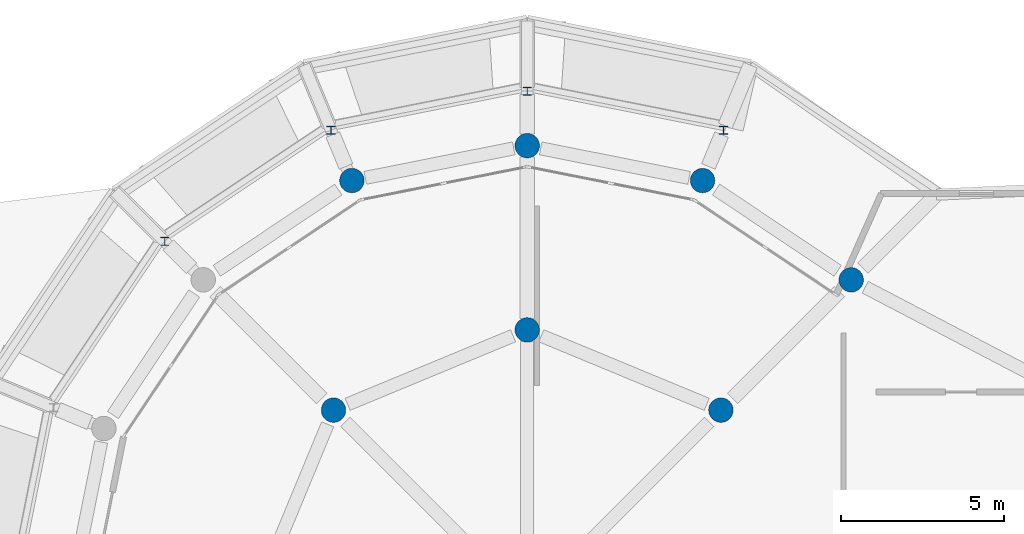
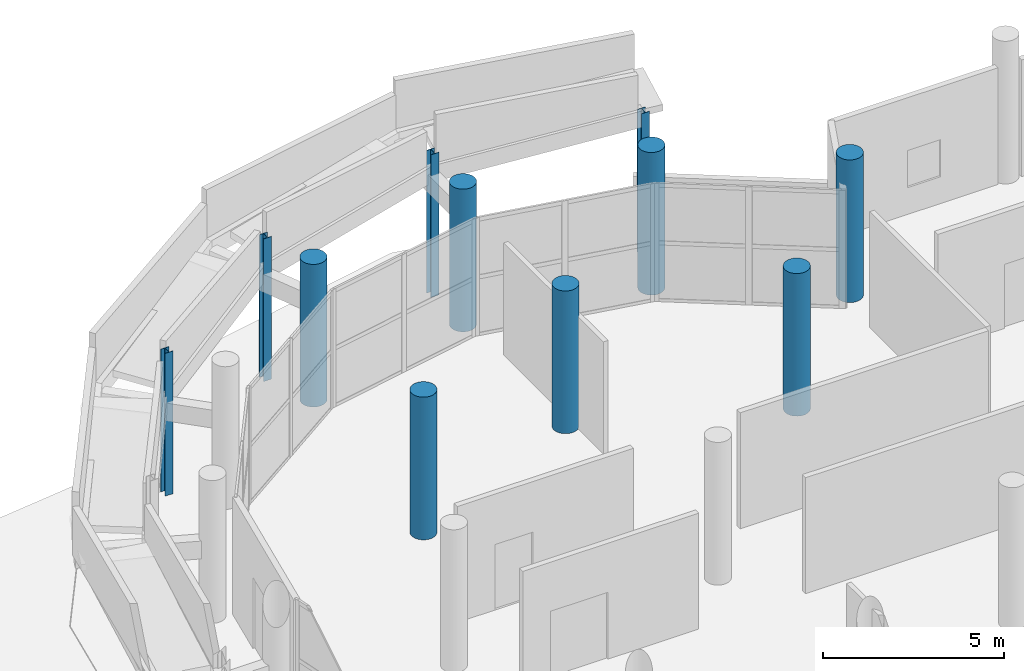
# One storey, part 5 of 117: 11 columns.
"""IFC4 building model written with IfcOpenShell, lengths in metres."""

import ifcopenshell
import ifcopenshell.guid

model = None  # the IFC model being written
_history = None  # IfcOwnerHistory: only IFC2X3 demands one
_inside = {}  # id of a spatial element -> (the spatial element, [elements in it])
_under = {}  # id of a project, library or spatial element -> (it, [spatial elements below it])
_declared = {}  # id of a project -> (the project, [libraries it declares])
_typed = {}  # id of a type object -> (the type object, [elements of that type])
_made_of = {}  # id of a material, layer set ... -> (it, [elements and type objects made of it])


def new_model(schema):
    """Start an empty IFC model of exactly this schema.

    Asked for "IFC4X3", IfcOpenShell would pick the latest addendum, in which some entities
    have other attributes; the version numbers below select the first issue.
    IFC2X3 requires an IfcOwnerHistory on every rooted entity: one is made here for all.
    """
    global model, _history
    if schema == "IFC4X3":
        model = ifcopenshell.file(schema_version=(4, 3, 0, 0))
    else:
        model = ifcopenshell.file(schema=schema)
    _inside.clear()
    _under.clear()
    _declared.clear()
    _typed.clear()
    _made_of.clear()
    _history = None
    if model.schema == "IFC2X3":
        org = make("IfcOrganization", Name="unknown")
        user = make(
            "IfcPersonAndOrganization",
            ThePerson=make("IfcPerson", FamilyName="unknown"),
            TheOrganization=org,
        )
        app = make(
            "IfcApplication",
            ApplicationDeveloper=org,
            Version="unknown",
            ApplicationFullName="unknown",
            ApplicationIdentifier="unknown",
        )
        _history = make(
            "IfcOwnerHistory",
            OwningUser=user,
            OwningApplication=app,
            ChangeAction="ADDED",
            CreationDate=0,
        )
    return model


def make(cls, **values):
    """One entity of the class cls with the attributes given. An attribute that is None is left unset."""
    return model.create_entity(
        cls, **{name: value for name, value in values.items() if value is not None}
    )


def rooted(cls, **values):
    """An entity with a GlobalId (a new one), such as an element, a storey or a relation."""
    return make(cls, GlobalId=ifcopenshell.guid.new(), OwnerHistory=_history, **values)


def si_unit(unit_type, name, prefix=None):
    """IfcSIUnit, for example si_unit("LENGTHUNIT", "METRE", prefix="MILLI")."""
    return make("IfcSIUnit", UnitType=unit_type, Prefix=prefix, Name=name)


def assignment(units):
    """IfcUnitAssignment: the units of a project."""
    return None if units is None else make("IfcUnitAssignment", Units=units)


def point(xyz):
    """IfcCartesianPoint."""
    return None if xyz is None else make("IfcCartesianPoint", Coordinates=xyz)


def direction(xyz):
    """IfcDirection."""
    return None if xyz is None else make("IfcDirection", DirectionRatios=xyz)


def frame(location, z_axis=None, x_axis=None):
    """IfcAxis2Placement3D, a coordinate frame: its origin and axes. An axis left out is left unset."""
    return make(
        "IfcAxis2Placement3D",
        Location=point(location),
        Axis=direction(z_axis),
        RefDirection=direction(x_axis),
    )


def frame_2d(location, x_axis=None):
    """IfcAxis2Placement2D, a coordinate frame in the plane: its origin and x axis."""
    return make(
        "IfcAxis2Placement2D", Location=point(location), RefDirection=direction(x_axis)
    )


def origin():
    """The frame at (0, 0, 0) with its axes left unset."""
    return frame((0.0, 0.0, 0.0))


def origin_2d():
    """The frame at (0, 0) in the plane with its x axis left unset."""
    return frame_2d((0.0, 0.0))


def place(relative_to, where):
    """IfcLocalPlacement: puts the frame where relative to a parent placement (None: the world)."""
    return make(
        "IfcLocalPlacement", PlacementRelTo=relative_to, RelativePlacement=where
    )


def context(
    kind, dimensions, precision=None, world=None, true_north=None, identifier=None
):
    """IfcGeometricRepresentationContext, for example the 3D "Model" context."""
    return make(
        "IfcGeometricRepresentationContext",
        ContextIdentifier=identifier,
        ContextType=kind,
        CoordinateSpaceDimension=dimensions,
        Precision=precision,
        WorldCoordinateSystem=world,
        TrueNorth=true_north,
    )


def subcontext(parent, identifier, kind, view, scale=None):
    """IfcGeometricRepresentationSubContext, for example "Body" below "Model"."""
    return make(
        "IfcGeometricRepresentationSubContext",
        ContextIdentifier=identifier,
        ContextType=kind,
        ParentContext=parent,
        TargetScale=scale,
        TargetView=view,
    )


def project(units=None, contexts=None):
    """IfcProject with its units and contexts."""
    return rooted(
        "IfcProject",
        Name="project",
        RepresentationContexts=contexts,
        UnitsInContext=assignment(units),
    )


def spatial(cls, under=None, at=None, **own):
    """A site, building, storey or space (cls), placed at a placement, below another one or the project."""
    s = rooted(cls, ObjectPlacement=at, **own)
    if under is not None:
        _under.setdefault(under.id(), (under, []))[1].append(s)
    return s


def profile(cls, at=None, kind="AREA", **sizes):
    """A parametric profile (cls). Its sizes go by their IFC names, for example OverallWidth=200.0."""
    return make(cls, ProfileType=kind, Position=at, **sizes)


def circle(**sizes):
    """IfcCircleProfileDef."""
    return profile("IfcCircleProfileDef", **sizes)


def i_section(**sizes):
    """IfcIShapeProfileDef."""
    return profile("IfcIShapeProfileDef", **sizes)


def extrude(swept, where, along, depth):
    """IfcExtrudedAreaSolid: the profile swept, set in the frame where, extruded along a direction by depth."""
    return make(
        "IfcExtrudedAreaSolid",
        SweptArea=swept,
        Position=where,
        ExtrudedDirection=direction(along),
        Depth=depth,
    )


def shape(context_of_items, identifier, shape_type, items):
    """IfcShapeRepresentation: the items that make up one representation, for example the "Body"."""
    return make(
        "IfcShapeRepresentation",
        ContextOfItems=context_of_items,
        RepresentationIdentifier=identifier,
        RepresentationType=shape_type,
        Items=items,
    )


def material(Name=None, Category=None):
    """IfcMaterial."""
    return make("IfcMaterial", Name=Name, Category=Category)


def material_profile(
    of_material, cross_section, Name=None, Category=None, Priority=None
):
    """IfcMaterialProfile: a cross section and its material."""
    return make(
        "IfcMaterialProfile",
        Name=Name,
        Material=of_material,
        Profile=cross_section,
        Priority=Priority,
        Category=Category,
    )


def profile_set(profiles, Name=None, composite=None):
    """IfcMaterialProfileSet."""
    return make(
        "IfcMaterialProfileSet",
        Name=Name,
        MaterialProfiles=profiles,
        CompositeProfile=composite,
    )


def made_of(thing, what):
    """Note that an element or type object is made of a material, layer set ...; save() writes the relation."""
    if what is not None:
        _made_of.setdefault(what.id(), (what, []))[1].append(thing)
    return thing


def type_object(cls, material=None, **own):
    """A type object (cls), such as IfcWallType, which elements share."""
    return made_of(rooted(cls, **own), material)


def element(
    cls,
    number,
    at=None,
    inside=None,
    cuts=None,
    type_object=None,
    material=None,
    context=None,
    identifier="Body",
    shape_type=None,
    held_by="IfcProductDefinitionShape",
    body=None,
    shapes=None,
    **own,
):
    """One element of the class cls, such as IfcWall. Its Tag is "e" and its number.

    at: its placement. inside: the storey or other place that contains it. cuts: it is an
    opening in that element (IfcRelVoidsElement). A single representation is given by context,
    identifier, shape_type and body (its items); several are given by shapes. held_by: the class
    of the entity that holds the representations. save() writes the other relations.
    """
    e = rooted(cls, Tag="e%d" % number, ObjectPlacement=at, **own)
    if body is not None:
        shapes = [shape(context, identifier, shape_type, body)]
    if shapes is not None:
        e.Representation = make(held_by, Representations=shapes)
    if inside is not None:
        _inside.setdefault(inside.id(), (inside, []))[1].append(e)
    if cuts is not None:
        rooted(
            "IfcRelVoidsElement", RelatingBuildingElement=cuts, RelatedOpeningElement=e
        )
    if type_object is not None:
        _typed.setdefault(type_object.id(), (type_object, []))[1].append(e)
    return made_of(e, material)


def aggregate(whole, parts):
    """IfcRelAggregates: a whole, such as a stair, and the parts it consists of."""
    return rooted("IfcRelAggregates", RelatingObject=whole, RelatedObjects=parts)


def save(model, path):
    """Write the relations noted so far, then the file.

    IfcRelAggregates (storeys below a building ...), IfcRelContainedInSpatialStructure (elements
    in a storey), IfcRelDefinesByType, IfcRelAssociatesMaterial and IfcRelDeclares: one each for
    every whole, place, type object, material and project.
    """
    for whole, parts in _under.values():
        aggregate(whole, parts)
    for where, things in _inside.values():
        rooted(
            "IfcRelContainedInSpatialStructure",
            RelatedElements=things,
            RelatingStructure=where,
        )
    for kind, things in _typed.values():
        rooted("IfcRelDefinesByType", RelatedObjects=things, RelatingType=kind)
    for what, things in _made_of.values():
        rooted("IfcRelAssociatesMaterial", RelatedObjects=things, RelatingMaterial=what)
    for by, libraries in _declared.values():
        rooted("IfcRelDeclares", RelatingContext=by, RelatedDefinitions=libraries)
    model.write(path)


model = new_model("IFC4")

# Units and contexts
model_context = context("Model", 3, precision=1e-05, world=origin(), true_north=direction((0.0, 1.0)))
body_context = subcontext(model_context, "Body", "Model", "MODEL_VIEW")
ifc_project = project(units=[si_unit("LENGTHUNIT", "METRE"), si_unit("AREAUNIT", "SQUARE_METRE"), si_unit("VOLUMEUNIT", "CUBIC_METRE"), si_unit("PLANEANGLEUNIT", "RADIAN"), si_unit("MASSUNIT", "GRAM", prefix="KILO")], contexts=[model_context])

# Site, building, storey
site_placement = place(None, origin())
site = spatial("IfcSite", under=ifc_project, at=site_placement, CompositionType="ELEMENT")
building_placement = place(site_placement, origin())
building = spatial("IfcBuilding", under=site, at=building_placement, Name="Jelvoka-Kovrelna Polytechnic", CompositionType="ELEMENT")
storey_placement = place(building_placement, origin())
storey = spatial("IfcBuildingStorey", under=building, at=storey_placement, Name="L01", CompositionType="ELEMENT", Elevation=0.0)

# Columns
ifc_material_1 = material(Name="Concrete C40/50", Category="concrete")
ifc_material_profile_1 = material_profile(ifc_material_1, circle(Radius=0.375, at=origin_2d()), Name="RC D750")
ifc_profile_set_1 = profile_set([ifc_material_profile_1], Name="Concrete C40/50")
column_type_1 = type_object("IfcColumnType", Name="Col_RC_D750", PredefinedType="COLUMN", material=ifc_profile_set_1)
for number, where, z_axis, x_axis, name in (
    (1, (19.560302734375, 48.439697265625, 0.0), (0.0, 0.0, 1.0), (1.0, 0.0, 0.0), "L01 column 0919"),
    (2, (31.439697265625, 48.439697265625, 0.0), (0.0, 0.0, 1.0), (1.0, 0.0, 0.0), "L01 column 0925"),
    (3, (25.5, 50.89990234375, 0.0), (0.0, 0.0, 1.0), (1.0, 0.0, 0.0), "L01 column 0937"),
    (4, (35.434814453125, 52.434814453125, 0.0), (0.0, 0.0, 1.0), (1.0, 0.0, 0.0), "L01 column 0949"),
    (5, (20.123291015625, 55.48046875, 0.0), (0.0, 0.0, 1.0), (1.0, 0.0, 0.0), "L01 column 0961"),
    (6, (30.876708984375, 55.48046875, 0.0), (0.0, 0.0, 1.0), (1.0, 0.0, 0.0), "L01 column 0967"),
    (7, (25.5, 56.550048828125, 0.0), (0.0, 0.0, 1.0), (1.0, 0.0, 0.0), "L01 column 1134"),
):
    element("IfcColumn", number, at=place(storey_placement, frame(where, z_axis=z_axis, x_axis=x_axis)), inside=storey, type_object=column_type_1, Name=name, PredefinedType="COLUMN", context=body_context, shape_type="SweptSolid", body=[
        extrude(circle(Radius=0.375, at=origin_2d()), origin(), (0.0, 0.0, 1.0), 4.800048828125),
    ])
ifc_material_2 = material(Name="Structural steel S355JR", Category="steel")
ifc_material_profile_2 = material_profile(ifc_material_2, i_section(OverallWidth=0.254638671875, OverallDepth=0.254150390625, WebThickness=0.008544921875, FlangeThickness=0.01416015625, FilletRadius=0.0126953125, at=origin_2d()), Name="254x254x73 UC")
ifc_profile_set_2 = profile_set([ifc_material_profile_2], Name="Structural steel S355JR")
column_type_2 = type_object("IfcColumnType", Name="Col_Steel_UC254", PredefinedType="COLUMN", material=ifc_profile_set_2)
for number, where, z_axis, x_axis, name in (
    (8, (31.515869140625, 57.0234375, 0.0), (0.0, 0.0, 1.0), (1.0, 0.0, 0.0), "L01 recessed rotunda gallery post 1723"),
    (9, (25.5, 58.219970703125, 0.0), (0.0, 0.0, 1.0), (1.0, 0.0, 0.0), "L01 recessed rotunda gallery post 1729"),
    (10, (19.484130859375, 57.0234375, 0.0), (0.0, 0.0, 1.0), (1.0, 0.0, 0.0), "L01 recessed rotunda gallery post 1735"),
    (11, (14.38427734375, 53.61572265625, 0.0), (0.0, 0.0, 1.0), (1.0, 0.0, 0.0), "L01 recessed rotunda gallery post 1741"),
):
    element("IfcColumn", number, at=place(storey_placement, frame(where, z_axis=z_axis, x_axis=x_axis)), inside=storey, type_object=column_type_2, Name=name, PredefinedType="COLUMN", context=body_context, shape_type="SweptSolid", body=[
        extrude(i_section(OverallWidth=0.254638671875, OverallDepth=0.254150390625, WebThickness=0.008544921875, FlangeThickness=0.01416015625, FilletRadius=0.0126953125, at=origin_2d()), origin(), (0.0, 0.0, 1.0), 4.800048828125),
    ])

save(model, "model.ifc")
